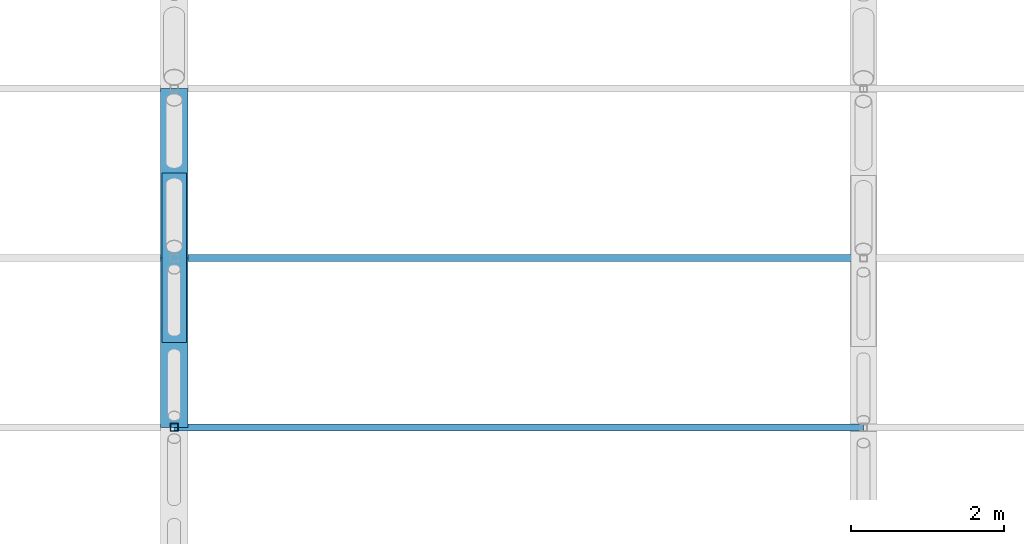
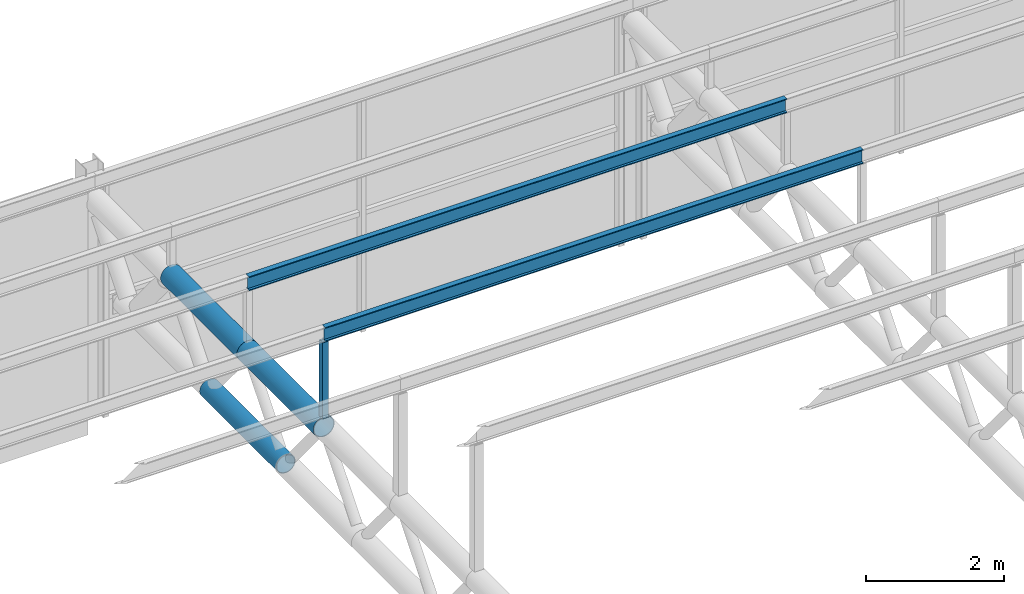
# One storey, part 46 of 138: 6 members.
"""IFC4 building model written with IfcOpenShell, lengths in metres."""

from ifc_helpers import new_model, si_unit, direction, frame, origin, origin_2d, place, context, subcontext, project, spatial, hollow_rectangle, hollow_circle, i_section, extrude, material, material_profile, profile_set, type_object, element, save


model = new_model("IFC4")

# Units and contexts
model_context = context("Model", 3, precision=1e-05, world=origin(), true_north=direction((0.0, 1.0)))
body_context = subcontext(model_context, "Body", "Model", "MODEL_VIEW")
ifc_project = project(units=[si_unit("LENGTHUNIT", "METRE"), si_unit("AREAUNIT", "SQUARE_METRE"), si_unit("VOLUMEUNIT", "CUBIC_METRE"), si_unit("PLANEANGLEUNIT", "RADIAN"), si_unit("MASSUNIT", "GRAM", prefix="KILO")], contexts=[model_context])

# Site, building, storey
site_placement = place(None, origin())
site = spatial("IfcSite", under=ifc_project, at=site_placement, CompositionType="ELEMENT")
building_placement = place(site_placement, origin())
building = spatial("IfcBuilding", under=site, at=building_placement, Name="Corbel Yard City Hall", CompositionType="ELEMENT")
storey_placement = place(building_placement, frame((0.0, 0.0, 10.5)))
storey = spatial("IfcBuildingStorey", under=building, at=storey_placement, Name="L02", CompositionType="ELEMENT", Elevation=10.5)

# Members
ifc_material_1 = material(Name="Steel Grade C350L0", Category="steel")
ifc_material_profile_1 = material_profile(ifc_material_1, hollow_circle(Radius=0.161865234375, WallThickness=0.0126953125, at=origin_2d()), Name="323.9x12.7CHS")
ifc_profile_set_1 = profile_set([ifc_material_profile_1], Name="Steel Grade C350L0")
member_type_1 = type_object("IfcMemberType", Name="Hall roof truss bottom chord 323.9x12.7CHS", PredefinedType="CHORD", material=ifc_profile_set_1)
member_1_placement = place(storey_placement, frame((72.0, 21.31787109375, 2.59228515625), z_axis=(0.0, 1.0, 0.0), x_axis=(-1.0, 0.0, 0.0)))
element("IfcMember", 1, at=member_1_placement, inside=storey, type_object=member_type_1, Name="Hall roof truss bottom chord 323.9x12.7CHS TC2", PredefinedType="CHORD", context=body_context, shape_type="SweptSolid", body=[
    extrude(hollow_circle(Radius=0.161865234375, WallThickness=0.0126953125, at=origin_2d()), origin(), (0.0, 0.0, 1.0), 2.2119140625),
])
ifc_material_profile_2 = material_profile(ifc_material_1, hollow_circle(Radius=0.177734375, WallThickness=0.0126953125, at=origin_2d()), Name="355.6x12.7CHS")
ifc_profile_set_2 = profile_set([ifc_material_profile_2], Name="Steel Grade C350L0")
member_type_2 = type_object("IfcMemberType", Name="Hall roof truss top chord 355.6x12.7CHS", PredefinedType="CHORD", material=ifc_profile_set_2)
for number, where, z_axis, x_axis, name in (
    (2, (72.0, 20.2119140625, 3.922119140625), (0.0, 1.0, 0.0), (-1.0, 0.0, 0.0), "Hall roof truss top chord 355.6x12.7CHS TC1"),
    (3, (72.0, 22.423828125, 3.922119140625), (0.0, 1.0, 0.0), (-1.0, 0.0, 0.0), "Hall roof truss top chord 355.6x12.7CHS TC1"),
):
    element("IfcMember", number, at=place(storey_placement, frame(where, z_axis=z_axis, x_axis=x_axis)), inside=storey, type_object=member_type_2, Name=name, PredefinedType="CHORD", context=body_context, shape_type="SweptSolid", body=[
        extrude(hollow_circle(Radius=0.177734375, WallThickness=0.0126953125, at=origin_2d()), origin(), (0.0, 0.0, 1.0), 2.2119140625),
    ])
ifc_material_2 = material(Name="Steel Grade 300 (300 MPa yield)", Category="steel")
ifc_material_profile_3 = material_profile(ifc_material_2, i_section(OverallWidth=0.090087890625, OverallDepth=0.25, WebThickness=0.008056640625, FlangeThickness=0.014892578125, at=origin_2d()), Name="250PFC")
ifc_profile_set_3 = profile_set([ifc_material_profile_3], Name="Steel Grade 300 (300 MPa yield)")
member_type_3 = type_object("IfcMemberType", Name="Purlin 250PFC", PredefinedType="PURLIN", material=ifc_profile_set_3)
for number, where, z_axis, x_axis, name in (
    (4, (72.0, 20.2119140625, 5.57373046875), (1.0, 0.0, 0.0), (0.0, 1.0, 0.0), "Purlin 250PFC PU1"),
    (5, (72.0, 22.423828125, 5.13134765625), (1.0, 0.0, 0.0), (0.0, 1.0, 0.0), "Purlin 250PFC PU1"),
):
    element("IfcMember", number, at=place(storey_placement, frame(where, z_axis=z_axis, x_axis=x_axis)), inside=storey, type_object=member_type_3, Name=name, PredefinedType="PURLIN", context=body_context, shape_type="SweptSolid", body=[
        extrude(i_section(OverallWidth=0.090087890625, OverallDepth=0.25, WebThickness=0.008056640625, FlangeThickness=0.014892578125, at=origin_2d()), origin(), (0.0, 0.0, 1.0), 9.0),
    ])
ifc_material_3 = material(Name="Steel Grade C450L0", Category="steel")
ifc_material_profile_4 = material_profile(ifc_material_3, hollow_rectangle(XDim=0.10009765625, YDim=0.10009765625, WallThickness=0.006103515625, at=origin_2d()), Name="100x100x6.0SHS")
ifc_profile_set_4 = profile_set([ifc_material_profile_4], Name="Steel Grade C450L0")
member_type_4 = type_object("IfcMemberType", Name="Roof post 100x100x6.0SHS", PredefinedType="POST", material=ifc_profile_set_4)
member_2_placement = place(storey_placement, frame((72.0, 20.2119140625, 4.10009765625), z_axis=(0.0, 0.0, 1.0), x_axis=(1.0, 0.0, 0.0)))
element("IfcMember", 6, at=member_2_placement, inside=storey, type_object=member_type_4, Name="Roof post 100x100x6.0SHS RP3", PredefinedType="POST", context=body_context, shape_type="SweptSolid", body=[
    extrude(hollow_rectangle(XDim=0.10009765625, YDim=0.10009765625, WallThickness=0.006103515625, at=origin_2d()), origin(), (0.0, 0.0, 1.0), 1.3486328125),
])

save(model, "model.ifc")
